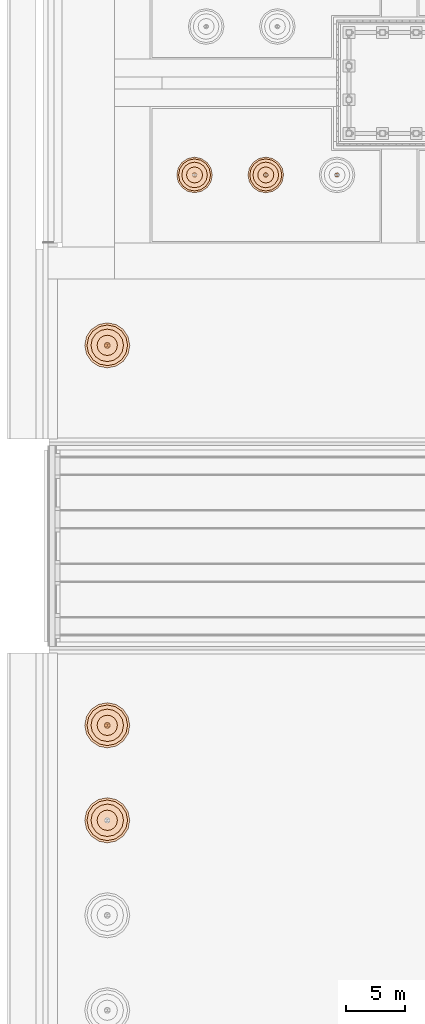
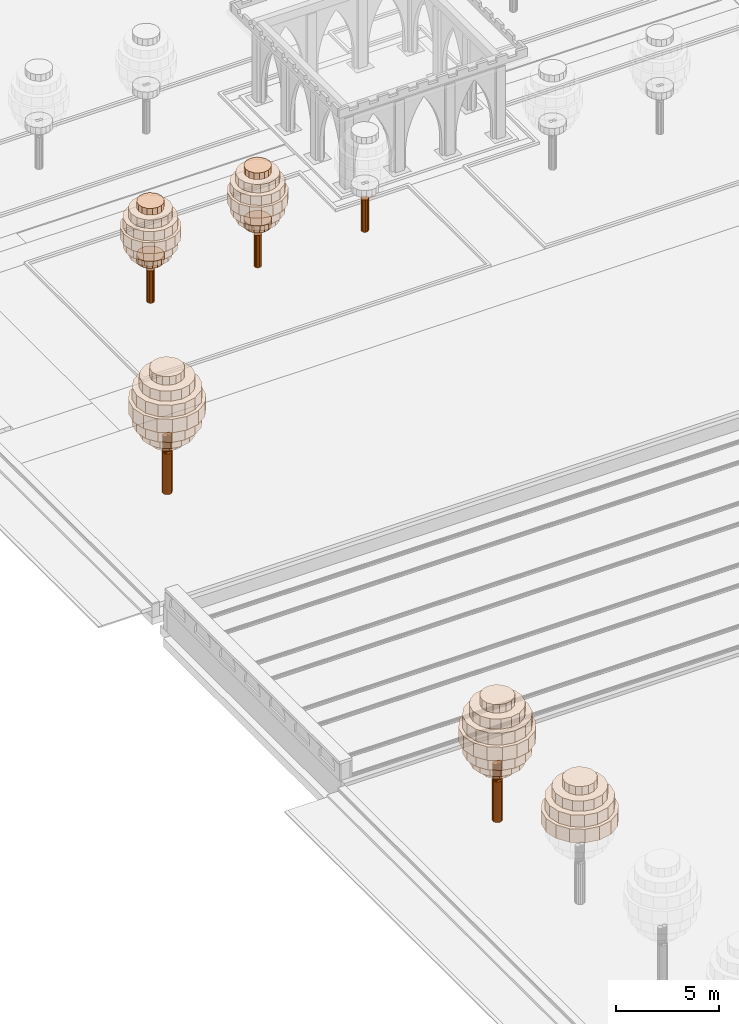
# One storey, part 240 of 250: 41 geographic elements.
"""IFC4 building model written with IfcOpenShell, lengths in metres."""

from ifc_helpers import new_model, si_unit, direction, frame, origin, place, context, subcontext, project, spatial, polyline, outline, extrude, material, type_object, element, save


model = new_model("IFC4")

# Units and contexts
model_context = context("Model", 3, precision=1e-05, world=origin(), true_north=direction((0.0, 1.0)))
body_context = subcontext(model_context, "Body", "Model", "MODEL_VIEW")
ifc_project = project(units=[si_unit("LENGTHUNIT", "METRE"), si_unit("AREAUNIT", "SQUARE_METRE"), si_unit("VOLUMEUNIT", "CUBIC_METRE"), si_unit("PLANEANGLEUNIT", "RADIAN"), si_unit("MASSUNIT", "GRAM", prefix="KILO")], contexts=[model_context])

# Site, building, storey
site_placement = place(None, origin())
site = spatial("IfcSite", under=ifc_project, at=site_placement, CompositionType="ELEMENT")
building_placement = place(site_placement, origin())
building = spatial("IfcBuilding", under=site, at=building_placement, Name="Baradari Gate Terminus", CompositionType="ELEMENT")
storey_placement = place(building_placement, origin())
storey = spatial("IfcBuildingStorey", under=building, at=storey_placement, Name="L00", CompositionType="ELEMENT", Elevation=0.0)

# Geographic elements
ifc_material_1 = material(Name="Planted foliage, green")
geographic_element_type_1 = type_object("IfcGeographicElementType", Name="Garden tree crown, belly layer TR-9 2700x550", PredefinedType="USERDEFINED", material=ifc_material_1)
for number, where, name in (
    (1, (0.0, 0.0, 3.300048828125), "Garden tree 13 crown 3"),
    (2, (0.0, 0.0, 4.5), "Garden tree 13 crown 5"),
):
    element("IfcGeographicElement", number, at=place(storey_placement, frame(where)), inside=storey, type_object=geographic_element_type_1, Name=name, ObjectType="TREE", PredefinedType="USERDEFINED", context=body_context, shape_type="SweptSolid", body=[
        extrude(outline(polyline([(17.10009765625, 89.75), (16.997314453125, 90.2666015625), (16.70458984375, 90.70458984375), (16.2666015625, 90.997314453125), (15.75, 91.10009765625), (15.2333984375, 90.997314453125), (14.79541015625, 90.70458984375), (14.502685546875, 90.2666015625), (14.39990234375, 89.75), (14.502685546875, 89.2333984375), (14.79541015625, 88.79541015625), (15.2333984375, 88.502685546875), (15.75, 88.39990234375), (16.2666015625, 88.502685546875), (16.70458984375, 88.79541015625), (16.997314453125, 89.2333984375), (17.10009765625, 89.75)])), origin(), (0.0, 0.0, 1.0), 0.550048828125),
    ])
for number, where, name in (
    (3, (0.0, 0.0, 3.300048828125), "Garden tree 14 crown 3"),
    (4, (0.0, 0.0, 4.5), "Garden tree 14 crown 5"),
):
    element("IfcGeographicElement", number, at=place(storey_placement, frame(where)), inside=storey, type_object=geographic_element_type_1, Name=name, ObjectType="TREE", PredefinedType="USERDEFINED", context=body_context, shape_type="SweptSolid", body=[
        extrude(outline(polyline([(23.10009765625, 89.75), (22.997314453125, 90.2666015625), (22.70458984375, 90.70458984375), (22.2666015625, 90.997314453125), (21.75, 91.10009765625), (21.2333984375, 90.997314453125), (20.79541015625, 90.70458984375), (20.502685546875, 90.2666015625), (20.39990234375, 89.75), (20.502685546875, 89.2333984375), (20.79541015625, 88.79541015625), (21.2333984375, 88.502685546875), (21.75, 88.39990234375), (22.2666015625, 88.502685546875), (22.70458984375, 88.79541015625), (22.997314453125, 89.2333984375), (23.10009765625, 89.75)])), origin(), (0.0, 0.0, 1.0), 0.550048828125),
    ])
ifc_material_2 = material(Name="Planted foliage, green")
geographic_element_type_2 = type_object("IfcGeographicElementType", Name="Garden tree crown, core layer TR-10 3000x650", PredefinedType="USERDEFINED", material=ifc_material_2)
geographic_element_1_placement = place(storey_placement, frame((0.0, 0.0, 3.85009765625)))
element("IfcGeographicElement", 5, at=geographic_element_1_placement, inside=storey, type_object=geographic_element_type_2, Name="Garden tree 13 crown 4", ObjectType="TREE", PredefinedType="USERDEFINED", context=body_context, shape_type="SweptSolid", body=[
    extrude(outline(polyline([(17.25, 89.75), (17.1357421875, 90.323974609375), (16.810546875, 90.810546875), (16.323974609375, 91.1357421875), (15.75, 91.25), (15.176025390625, 91.1357421875), (14.689453125, 90.810546875), (14.3642578125, 90.323974609375), (14.25, 89.75), (14.3642578125, 89.176025390625), (14.689453125, 88.689453125), (15.176025390625, 88.3642578125), (15.75, 88.25), (16.323974609375, 88.3642578125), (16.810546875, 88.689453125), (17.1357421875, 89.176025390625), (17.25, 89.75)])), origin(), (0.0, 0.0, 1.0), 0.64990234375),
])
geographic_element_2_placement = place(storey_placement, frame((0.0, 0.0, 3.85009765625)))
element("IfcGeographicElement", 6, at=geographic_element_2_placement, inside=storey, type_object=geographic_element_type_2, Name="Garden tree 14 crown 4", ObjectType="TREE", PredefinedType="USERDEFINED", context=body_context, shape_type="SweptSolid", body=[
    extrude(outline(polyline([(23.25, 89.75), (23.1357421875, 90.323974609375), (22.810546875, 90.810546875), (22.323974609375, 91.1357421875), (21.75, 91.25), (21.176025390625, 91.1357421875), (20.689453125, 90.810546875), (20.3642578125, 90.323974609375), (20.25, 89.75), (20.3642578125, 89.176025390625), (20.689453125, 88.689453125), (21.176025390625, 88.3642578125), (21.75, 88.25), (22.323974609375, 88.3642578125), (22.810546875, 88.689453125), (23.1357421875, 89.176025390625), (23.25, 89.75)])), origin(), (0.0, 0.0, 1.0), 0.64990234375),
])
ifc_material_3 = material(Name="Planted foliage, green")
geographic_element_type_3 = type_object("IfcGeographicElementType", Name="Garden tree crown, rim layer TR-7 1350x400", PredefinedType="USERDEFINED", material=ifc_material_3)
geographic_element_3_placement = place(storey_placement, frame((0.0, 0.0, 2.39990234375)))
element("IfcGeographicElement", 7, at=geographic_element_3_placement, inside=storey, type_object=geographic_element_type_3, Name="Garden tree 13 crown 1", ObjectType="TREE", PredefinedType="USERDEFINED", context=body_context, shape_type="SweptSolid", body=[
    extrude(outline(polyline([(16.425048828125, 89.75), (16.37353515625, 90.00830078125), (16.227294921875, 90.227294921875), (16.00830078125, 90.37353515625), (15.75, 90.425048828125), (15.49169921875, 90.37353515625), (15.272705078125, 90.227294921875), (15.12646484375, 90.00830078125), (15.074951171875, 89.75), (15.12646484375, 89.49169921875), (15.272705078125, 89.272705078125), (15.49169921875, 89.12646484375), (15.75, 89.074951171875), (16.00830078125, 89.12646484375), (16.227294921875, 89.272705078125), (16.37353515625, 89.49169921875), (16.425048828125, 89.75)])), origin(), (0.0, 0.0, 1.0), 0.400146484375),
])
geographic_element_4_placement = place(storey_placement, frame((0.0, 0.0, 5.550048828125)))
element("IfcGeographicElement", 8, at=geographic_element_4_placement, inside=storey, type_object=geographic_element_type_3, Name="Garden tree 13 crown 7", ObjectType="TREE", PredefinedType="USERDEFINED", context=body_context, shape_type="SweptSolid", body=[
    extrude(outline(polyline([(16.425048828125, 89.75), (16.37353515625, 90.00830078125), (16.227294921875, 90.227294921875), (16.00830078125, 90.37353515625), (15.75, 90.425048828125), (15.49169921875, 90.37353515625), (15.272705078125, 90.227294921875), (15.12646484375, 90.00830078125), (15.074951171875, 89.75), (15.12646484375, 89.49169921875), (15.272705078125, 89.272705078125), (15.49169921875, 89.12646484375), (15.75, 89.074951171875), (16.00830078125, 89.12646484375), (16.227294921875, 89.272705078125), (16.37353515625, 89.49169921875), (16.425048828125, 89.75)])), origin(), (0.0, 0.0, 1.0), 0.39990234375),
])
geographic_element_5_placement = place(storey_placement, frame((0.0, 0.0, 2.39990234375)))
element("IfcGeographicElement", 9, at=geographic_element_5_placement, inside=storey, type_object=geographic_element_type_3, Name="Garden tree 14 crown 1", ObjectType="TREE", PredefinedType="USERDEFINED", context=body_context, shape_type="SweptSolid", body=[
    extrude(outline(polyline([(22.425048828125, 89.75), (22.37353515625, 90.00830078125), (22.227294921875, 90.227294921875), (22.00830078125, 90.37353515625), (21.75, 90.425048828125), (21.49169921875, 90.37353515625), (21.272705078125, 90.227294921875), (21.12646484375, 90.00830078125), (21.074951171875, 89.75), (21.12646484375, 89.49169921875), (21.272705078125, 89.272705078125), (21.49169921875, 89.12646484375), (21.75, 89.074951171875), (22.00830078125, 89.12646484375), (22.227294921875, 89.272705078125), (22.37353515625, 89.49169921875), (22.425048828125, 89.75)])), origin(), (0.0, 0.0, 1.0), 0.400146484375),
])
geographic_element_6_placement = place(storey_placement, frame((0.0, 0.0, 5.550048828125)))
element("IfcGeographicElement", 10, at=geographic_element_6_placement, inside=storey, type_object=geographic_element_type_3, Name="Garden tree 14 crown 7", ObjectType="TREE", PredefinedType="USERDEFINED", context=body_context, shape_type="SweptSolid", body=[
    extrude(outline(polyline([(22.425048828125, 89.75), (22.37353515625, 90.00830078125), (22.227294921875, 90.227294921875), (22.00830078125, 90.37353515625), (21.75, 90.425048828125), (21.49169921875, 90.37353515625), (21.272705078125, 90.227294921875), (21.12646484375, 90.00830078125), (21.074951171875, 89.75), (21.12646484375, 89.49169921875), (21.272705078125, 89.272705078125), (21.49169921875, 89.12646484375), (21.75, 89.074951171875), (22.00830078125, 89.12646484375), (22.227294921875, 89.272705078125), (22.37353515625, 89.49169921875), (22.425048828125, 89.75)])), origin(), (0.0, 0.0, 1.0), 0.39990234375),
])
ifc_material_4 = material(Name="Planted foliage, green")
geographic_element_type_4 = type_object("IfcGeographicElementType", Name="Garden tree crown, shoulder layer TR-8 2160x500", PredefinedType="USERDEFINED", material=ifc_material_4)
for number, where, name in (
    (11, (0.0, 0.0, 2.800048828125), "Garden tree 13 crown 2"),
    (12, (0.0, 0.0, 5.050048828125), "Garden tree 13 crown 6"),
):
    element("IfcGeographicElement", number, at=place(storey_placement, frame(where)), inside=storey, type_object=geographic_element_type_4, Name=name, ObjectType="TREE", PredefinedType="USERDEFINED", context=body_context, shape_type="SweptSolid", body=[
        extrude(outline(polyline([(16.830078125, 89.75), (16.747802734375, 90.163330078125), (16.513671875, 90.513671875), (16.163330078125, 90.747802734375), (15.75, 90.830078125), (15.336669921875, 90.747802734375), (14.986328125, 90.513671875), (14.752197265625, 90.163330078125), (14.669921875, 89.75), (14.752197265625, 89.336669921875), (14.986328125, 88.986328125), (15.336669921875, 88.752197265625), (15.75, 88.669921875), (16.163330078125, 88.752197265625), (16.513671875, 88.986328125), (16.747802734375, 89.336669921875), (16.830078125, 89.75)])), origin(), (0.0, 0.0, 1.0), 0.5),
    ])
for number, where, name in (
    (13, (0.0, 0.0, 2.800048828125), "Garden tree 14 crown 2"),
    (14, (0.0, 0.0, 5.050048828125), "Garden tree 14 crown 6"),
):
    element("IfcGeographicElement", number, at=place(storey_placement, frame(where)), inside=storey, type_object=geographic_element_type_4, Name=name, ObjectType="TREE", PredefinedType="USERDEFINED", context=body_context, shape_type="SweptSolid", body=[
        extrude(outline(polyline([(22.830078125, 89.75), (22.747802734375, 90.163330078125), (22.513671875, 90.513671875), (22.163330078125, 90.747802734375), (21.75, 90.830078125), (21.336669921875, 90.747802734375), (20.986328125, 90.513671875), (20.752197265625, 90.163330078125), (20.669921875, 89.75), (20.752197265625, 89.336669921875), (20.986328125, 88.986328125), (21.336669921875, 88.752197265625), (21.75, 88.669921875), (22.163330078125, 88.752197265625), (22.513671875, 88.986328125), (22.747802734375, 89.336669921875), (22.830078125, 89.75)])), origin(), (0.0, 0.0, 1.0), 0.5),
    ])
ifc_material_5 = material(Name="Timber, hardwood", Category="wood")
geographic_element_type_5 = type_object("IfcGeographicElementType", Name="Garden tree trunk TR-6 380x1900", PredefinedType="USERDEFINED", material=ifc_material_5)
geographic_element_7_placement = place(storey_placement, origin())
element("IfcGeographicElement", 15, at=geographic_element_7_placement, inside=storey, type_object=geographic_element_type_5, Name="Garden tree 13 trunk", ObjectType="TREE", PredefinedType="USERDEFINED", context=body_context, shape_type="SweptSolid", body=[
    extrude(outline(polyline([(15.93994140625, 89.75), (15.925537109375, 89.82275390625), (15.88427734375, 89.88427734375), (15.82275390625, 89.925537109375), (15.75, 89.93994140625), (15.67724609375, 89.925537109375), (15.61572265625, 89.88427734375), (15.574462890625, 89.82275390625), (15.56005859375, 89.75), (15.574462890625, 89.67724609375), (15.61572265625, 89.61572265625), (15.67724609375, 89.574462890625), (15.75, 89.56005859375), (15.82275390625, 89.574462890625), (15.88427734375, 89.61572265625), (15.925537109375, 89.67724609375), (15.93994140625, 89.75)])), origin(), (0.0, 0.0, 1.0), 1.89990234375),
])
geographic_element_8_placement = place(storey_placement, origin())
element("IfcGeographicElement", 16, at=geographic_element_8_placement, inside=storey, type_object=geographic_element_type_5, Name="Garden tree 14 trunk", ObjectType="TREE", PredefinedType="USERDEFINED", context=body_context, shape_type="SweptSolid", body=[
    extrude(outline(polyline([(21.93994140625, 89.75), (21.925537109375, 89.82275390625), (21.88427734375, 89.88427734375), (21.82275390625, 89.925537109375), (21.75, 89.93994140625), (21.67724609375, 89.925537109375), (21.61572265625, 89.88427734375), (21.574462890625, 89.82275390625), (21.56005859375, 89.75), (21.574462890625, 89.67724609375), (21.61572265625, 89.61572265625), (21.67724609375, 89.574462890625), (21.75, 89.56005859375), (21.82275390625, 89.574462890625), (21.88427734375, 89.61572265625), (21.925537109375, 89.67724609375), (21.93994140625, 89.75)])), origin(), (0.0, 0.0, 1.0), 1.89990234375),
])
geographic_element_9_placement = place(storey_placement, origin())
element("IfcGeographicElement", 17, at=geographic_element_9_placement, inside=storey, type_object=geographic_element_type_5, Name="Garden tree 15 trunk", ObjectType="TREE", PredefinedType="USERDEFINED", context=body_context, shape_type="SweptSolid", body=[
    extrude(outline(polyline([(27.93994140625, 89.75), (27.925537109375, 89.82275390625), (27.88427734375, 89.88427734375), (27.82275390625, 89.925537109375), (27.75, 89.93994140625), (27.67724609375, 89.925537109375), (27.61572265625, 89.88427734375), (27.574462890625, 89.82275390625), (27.56005859375, 89.75), (27.574462890625, 89.67724609375), (27.61572265625, 89.61572265625), (27.67724609375, 89.574462890625), (27.75, 89.56005859375), (27.82275390625, 89.574462890625), (27.88427734375, 89.61572265625), (27.925537109375, 89.67724609375), (27.93994140625, 89.75)])), origin(), (0.0, 0.0, 1.0), 1.89990234375),
])
ifc_material_6 = material(Name="Planted foliage, green")
geographic_element_type_6 = type_object("IfcGeographicElementType", Name="Street tree crown, belly layer TR-4 3420x700", PredefinedType="USERDEFINED", material=ifc_material_6)
geographic_element_10_placement = place(storey_placement, frame((0.0, 0.0, 5.60009765625)))
element("IfcGeographicElement", 18, at=geographic_element_10_placement, inside=storey, type_object=geographic_element_type_6, Name="Street tree 18 crown 5", ObjectType="TREE", PredefinedType="USERDEFINED", context=body_context, shape_type="SweptSolid", body=[
    extrude(outline(polyline([(10.110107421875, 35.39990234375), (9.979736328125, 36.054443359375), (9.609130859375, 36.609130859375), (9.054443359375, 36.979736328125), (8.39990234375, 37.110107421875), (7.74560546875, 36.979736328125), (7.19091796875, 36.609130859375), (6.820068359375, 36.054443359375), (6.68994140625, 35.39990234375), (6.820068359375, 34.74560546875), (7.19091796875, 34.19091796875), (7.74560546875, 33.820068359375), (8.39990234375, 33.68994140625), (9.054443359375, 33.820068359375), (9.609130859375, 34.19091796875), (9.979736328125, 34.74560546875), (10.110107421875, 35.39990234375)])), origin(), (0.0, 0.0, 1.0), 0.699951171875),
])
for number, where, name in (
    (19, (0.0, 0.0, 4.10009765625), "Street tree 19 crown 3"),
    (20, (0.0, 0.0, 5.60009765625), "Street tree 19 crown 5"),
):
    element("IfcGeographicElement", number, at=place(storey_placement, frame(where)), inside=storey, type_object=geographic_element_type_6, Name=name, ObjectType="TREE", PredefinedType="USERDEFINED", context=body_context, shape_type="SweptSolid", body=[
        extrude(outline(polyline([(10.110107421875, 43.39990234375), (9.979736328125, 44.054443359375), (9.609130859375, 44.609130859375), (9.054443359375, 44.979736328125), (8.39990234375, 45.110107421875), (7.74560546875, 44.979736328125), (7.19091796875, 44.609130859375), (6.820068359375, 44.054443359375), (6.68994140625, 43.39990234375), (6.820068359375, 42.74560546875), (7.19091796875, 42.19091796875), (7.74560546875, 41.820068359375), (8.39990234375, 41.68994140625), (9.054443359375, 41.820068359375), (9.609130859375, 42.19091796875), (9.979736328125, 42.74560546875), (10.110107421875, 43.39990234375)])), origin(), (0.0, 0.0, 1.0), 0.699951171875),
    ])
for number, where, name in (
    (21, (0.0, 0.0, 4.10009765625), "Street tree 20 crown 3"),
    (22, (0.0, 0.0, 5.60009765625), "Street tree 20 crown 5"),
):
    element("IfcGeographicElement", number, at=place(storey_placement, frame(where)), inside=storey, type_object=geographic_element_type_6, Name=name, ObjectType="TREE", PredefinedType="USERDEFINED", context=body_context, shape_type="SweptSolid", body=[
        extrude(outline(polyline([(10.110107421875, 75.39990234375), (9.979736328125, 76.054443359375), (9.609130859375, 76.609130859375), (9.054443359375, 76.979736328125), (8.39990234375, 77.110107421875), (7.74560546875, 76.979736328125), (7.19091796875, 76.609130859375), (6.820068359375, 76.054443359375), (6.68994140625, 75.39990234375), (6.820068359375, 74.74560546875), (7.19091796875, 74.19091796875), (7.74560546875, 73.820068359375), (8.39990234375, 73.68994140625), (9.054443359375, 73.820068359375), (9.609130859375, 74.19091796875), (9.979736328125, 74.74560546875), (10.110107421875, 75.39990234375)])), origin(), (0.0, 0.0, 1.0), 0.699951171875),
    ])
ifc_material_7 = material(Name="Planted foliage, green")
geographic_element_type_7 = type_object("IfcGeographicElementType", Name="Street tree crown, core layer TR-5 3800x800", PredefinedType="USERDEFINED", material=ifc_material_7)
geographic_element_11_placement = place(storey_placement, frame((0.0, 0.0, 4.800048828125)))
element("IfcGeographicElement", 23, at=geographic_element_11_placement, inside=storey, type_object=geographic_element_type_7, Name="Street tree 18 crown 4", ObjectType="TREE", PredefinedType="USERDEFINED", context=body_context, shape_type="SweptSolid", body=[
    extrude(outline(polyline([(10.300048828125, 35.39990234375), (10.1552734375, 36.127197265625), (9.743408203125, 36.743408203125), (9.127197265625, 37.1552734375), (8.39990234375, 37.300048828125), (7.6728515625, 37.1552734375), (7.056396484375, 36.743408203125), (6.64453125, 36.127197265625), (6.5, 35.39990234375), (6.64453125, 34.6728515625), (7.056396484375, 34.056396484375), (7.6728515625, 33.64453125), (8.39990234375, 33.5), (9.127197265625, 33.64453125), (9.743408203125, 34.056396484375), (10.1552734375, 34.6728515625), (10.300048828125, 35.39990234375)])), origin(), (0.0, 0.0, 1.0), 0.800048828125),
])
geographic_element_12_placement = place(storey_placement, frame((0.0, 0.0, 4.800048828125)))
element("IfcGeographicElement", 24, at=geographic_element_12_placement, inside=storey, type_object=geographic_element_type_7, Name="Street tree 19 crown 4", ObjectType="TREE", PredefinedType="USERDEFINED", context=body_context, shape_type="SweptSolid", body=[
    extrude(outline(polyline([(10.300048828125, 43.39990234375), (10.1552734375, 44.127197265625), (9.743408203125, 44.743408203125), (9.127197265625, 45.1552734375), (8.39990234375, 45.300048828125), (7.6728515625, 45.1552734375), (7.056396484375, 44.743408203125), (6.64453125, 44.127197265625), (6.5, 43.39990234375), (6.64453125, 42.6728515625), (7.056396484375, 42.056396484375), (7.6728515625, 41.64453125), (8.39990234375, 41.5), (9.127197265625, 41.64453125), (9.743408203125, 42.056396484375), (10.1552734375, 42.6728515625), (10.300048828125, 43.39990234375)])), origin(), (0.0, 0.0, 1.0), 0.800048828125),
])
geographic_element_13_placement = place(storey_placement, frame((0.0, 0.0, 4.800048828125)))
element("IfcGeographicElement", 25, at=geographic_element_13_placement, inside=storey, type_object=geographic_element_type_7, Name="Street tree 20 crown 4", ObjectType="TREE", PredefinedType="USERDEFINED", context=body_context, shape_type="SweptSolid", body=[
    extrude(outline(polyline([(10.300048828125, 75.39990234375), (10.1552734375, 76.127197265625), (9.743408203125, 76.743408203125), (9.127197265625, 77.1552734375), (8.39990234375, 77.300048828125), (7.6728515625, 77.1552734375), (7.056396484375, 76.743408203125), (6.64453125, 76.127197265625), (6.5, 75.39990234375), (6.64453125, 74.6728515625), (7.056396484375, 74.056396484375), (7.6728515625, 73.64453125), (8.39990234375, 73.5), (9.127197265625, 73.64453125), (9.743408203125, 74.056396484375), (10.1552734375, 74.6728515625), (10.300048828125, 75.39990234375)])), origin(), (0.0, 0.0, 1.0), 0.800048828125),
])
ifc_material_8 = material(Name="Planted foliage, green")
geographic_element_type_8 = type_object("IfcGeographicElementType", Name="Street tree crown, rim layer TR-2 1710x500", PredefinedType="USERDEFINED", material=ifc_material_8)
geographic_element_14_placement = place(storey_placement, frame((0.0, 0.0, 6.89990234375)))
element("IfcGeographicElement", 26, at=geographic_element_14_placement, inside=storey, type_object=geographic_element_type_8, Name="Street tree 18 crown 7", ObjectType="TREE", PredefinedType="USERDEFINED", context=body_context, shape_type="SweptSolid", body=[
    extrude(outline(polyline([(9.2548828125, 35.39990234375), (9.18994140625, 35.727294921875), (9.004638671875, 36.004638671875), (8.727294921875, 36.18994140625), (8.39990234375, 36.2548828125), (8.07275390625, 36.18994140625), (7.79541015625, 36.004638671875), (7.610107421875, 35.727294921875), (7.544921875, 35.39990234375), (7.610107421875, 35.07275390625), (7.79541015625, 34.79541015625), (8.07275390625, 34.610107421875), (8.39990234375, 34.544921875), (8.727294921875, 34.610107421875), (9.004638671875, 34.79541015625), (9.18994140625, 35.07275390625), (9.2548828125, 35.39990234375)])), origin(), (0.0, 0.0, 1.0), 0.5),
])
for number, where, name in (
    (27, (0.0, 0.0, 3.0), "Street tree 19 crown 1"),
    (28, (0.0, 0.0, 6.89990234375), "Street tree 19 crown 7"),
):
    element("IfcGeographicElement", number, at=place(storey_placement, frame(where)), inside=storey, type_object=geographic_element_type_8, Name=name, ObjectType="TREE", PredefinedType="USERDEFINED", context=body_context, shape_type="SweptSolid", body=[
        extrude(outline(polyline([(9.2548828125, 43.39990234375), (9.18994140625, 43.727294921875), (9.004638671875, 44.004638671875), (8.727294921875, 44.18994140625), (8.39990234375, 44.2548828125), (8.07275390625, 44.18994140625), (7.79541015625, 44.004638671875), (7.610107421875, 43.727294921875), (7.544921875, 43.39990234375), (7.610107421875, 43.07275390625), (7.79541015625, 42.79541015625), (8.07275390625, 42.610107421875), (8.39990234375, 42.544921875), (8.727294921875, 42.610107421875), (9.004638671875, 42.79541015625), (9.18994140625, 43.07275390625), (9.2548828125, 43.39990234375)])), origin(), (0.0, 0.0, 1.0), 0.5),
    ])
for number, where, name in (
    (29, (0.0, 0.0, 3.0), "Street tree 20 crown 1"),
    (30, (0.0, 0.0, 6.89990234375), "Street tree 20 crown 7"),
):
    element("IfcGeographicElement", number, at=place(storey_placement, frame(where)), inside=storey, type_object=geographic_element_type_8, Name=name, ObjectType="TREE", PredefinedType="USERDEFINED", context=body_context, shape_type="SweptSolid", body=[
        extrude(outline(polyline([(9.2548828125, 75.39990234375), (9.18994140625, 75.727294921875), (9.004638671875, 76.004638671875), (8.727294921875, 76.18994140625), (8.39990234375, 76.2548828125), (8.07275390625, 76.18994140625), (7.79541015625, 76.004638671875), (7.610107421875, 75.727294921875), (7.544921875, 75.39990234375), (7.610107421875, 75.07275390625), (7.79541015625, 74.79541015625), (8.07275390625, 74.610107421875), (8.39990234375, 74.544921875), (8.727294921875, 74.610107421875), (9.004638671875, 74.79541015625), (9.18994140625, 75.07275390625), (9.2548828125, 75.39990234375)])), origin(), (0.0, 0.0, 1.0), 0.5),
    ])
ifc_material_9 = material(Name="Planted foliage, green")
geographic_element_type_9 = type_object("IfcGeographicElementType", Name="Street tree crown, shoulder layer TR-3 2736x600", PredefinedType="USERDEFINED", material=ifc_material_9)
geographic_element_15_placement = place(storey_placement, frame((0.0, 0.0, 6.300048828125)))
element("IfcGeographicElement", 31, at=geographic_element_15_placement, inside=storey, type_object=geographic_element_type_9, Name="Street tree 18 crown 6", ObjectType="TREE", PredefinedType="USERDEFINED", context=body_context, shape_type="SweptSolid", body=[
    extrude(outline(polyline([(9.76806640625, 35.39990234375), (9.663818359375, 35.923583984375), (9.367431640625, 36.367431640625), (8.923583984375, 36.663818359375), (8.39990234375, 36.76806640625), (7.87646484375, 36.663818359375), (7.4326171875, 36.367431640625), (7.13623046875, 35.923583984375), (7.031982421875, 35.39990234375), (7.13623046875, 34.87646484375), (7.4326171875, 34.4326171875), (7.87646484375, 34.13623046875), (8.39990234375, 34.031982421875), (8.923583984375, 34.13623046875), (9.367431640625, 34.4326171875), (9.663818359375, 34.87646484375), (9.76806640625, 35.39990234375)])), origin(), (0.0, 0.0, 1.0), 0.599853515625),
])
geographic_element_16_placement = place(storey_placement, frame((0.0, 0.0, 3.5)))
element("IfcGeographicElement", 32, at=geographic_element_16_placement, inside=storey, type_object=geographic_element_type_9, Name="Street tree 19 crown 2", ObjectType="TREE", PredefinedType="USERDEFINED", context=body_context, shape_type="SweptSolid", body=[
    extrude(outline(polyline([(9.76806640625, 43.39990234375), (9.663818359375, 43.923583984375), (9.367431640625, 44.367431640625), (8.923583984375, 44.663818359375), (8.39990234375, 44.76806640625), (7.87646484375, 44.663818359375), (7.4326171875, 44.367431640625), (7.13623046875, 43.923583984375), (7.031982421875, 43.39990234375), (7.13623046875, 42.87646484375), (7.4326171875, 42.4326171875), (7.87646484375, 42.13623046875), (8.39990234375, 42.031982421875), (8.923583984375, 42.13623046875), (9.367431640625, 42.4326171875), (9.663818359375, 42.87646484375), (9.76806640625, 43.39990234375)])), origin(), (0.0, 0.0, 1.0), 0.60009765625),
])
geographic_element_17_placement = place(storey_placement, frame((0.0, 0.0, 6.300048828125)))
element("IfcGeographicElement", 33, at=geographic_element_17_placement, inside=storey, type_object=geographic_element_type_9, Name="Street tree 19 crown 6", ObjectType="TREE", PredefinedType="USERDEFINED", context=body_context, shape_type="SweptSolid", body=[
    extrude(outline(polyline([(9.76806640625, 43.39990234375), (9.663818359375, 43.923583984375), (9.367431640625, 44.367431640625), (8.923583984375, 44.663818359375), (8.39990234375, 44.76806640625), (7.87646484375, 44.663818359375), (7.4326171875, 44.367431640625), (7.13623046875, 43.923583984375), (7.031982421875, 43.39990234375), (7.13623046875, 42.87646484375), (7.4326171875, 42.4326171875), (7.87646484375, 42.13623046875), (8.39990234375, 42.031982421875), (8.923583984375, 42.13623046875), (9.367431640625, 42.4326171875), (9.663818359375, 42.87646484375), (9.76806640625, 43.39990234375)])), origin(), (0.0, 0.0, 1.0), 0.599853515625),
])
geographic_element_18_placement = place(storey_placement, frame((0.0, 0.0, 3.5)))
element("IfcGeographicElement", 34, at=geographic_element_18_placement, inside=storey, type_object=geographic_element_type_9, Name="Street tree 20 crown 2", ObjectType="TREE", PredefinedType="USERDEFINED", context=body_context, shape_type="SweptSolid", body=[
    extrude(outline(polyline([(9.76806640625, 75.39990234375), (9.663818359375, 75.923583984375), (9.367431640625, 76.367431640625), (8.923583984375, 76.663818359375), (8.39990234375, 76.76806640625), (7.87646484375, 76.663818359375), (7.4326171875, 76.367431640625), (7.13623046875, 75.923583984375), (7.031982421875, 75.39990234375), (7.13623046875, 74.87646484375), (7.4326171875, 74.4326171875), (7.87646484375, 74.13623046875), (8.39990234375, 74.031982421875), (8.923583984375, 74.13623046875), (9.367431640625, 74.4326171875), (9.663818359375, 74.87646484375), (9.76806640625, 75.39990234375)])), origin(), (0.0, 0.0, 1.0), 0.60009765625),
])
geographic_element_19_placement = place(storey_placement, frame((0.0, 0.0, 6.300048828125)))
element("IfcGeographicElement", 35, at=geographic_element_19_placement, inside=storey, type_object=geographic_element_type_9, Name="Street tree 20 crown 6", ObjectType="TREE", PredefinedType="USERDEFINED", context=body_context, shape_type="SweptSolid", body=[
    extrude(outline(polyline([(9.76806640625, 75.39990234375), (9.663818359375, 75.923583984375), (9.367431640625, 76.367431640625), (8.923583984375, 76.663818359375), (8.39990234375, 76.76806640625), (7.87646484375, 76.663818359375), (7.4326171875, 76.367431640625), (7.13623046875, 75.923583984375), (7.031982421875, 75.39990234375), (7.13623046875, 74.87646484375), (7.4326171875, 74.4326171875), (7.87646484375, 74.13623046875), (8.39990234375, 74.031982421875), (8.923583984375, 74.13623046875), (9.367431640625, 74.4326171875), (9.663818359375, 74.87646484375), (9.76806640625, 75.39990234375)])), origin(), (0.0, 0.0, 1.0), 0.599853515625),
])
ifc_material_10 = material(Name="Timber, hardwood", Category="wood")
geographic_element_type_10 = type_object("IfcGeographicElementType", Name="Street tree limb TR-11 260x1000", PredefinedType="USERDEFINED", material=ifc_material_10)
geographic_element_20_placement = place(storey_placement, frame((0.0, 0.0, 2.39990234375)))
element("IfcGeographicElement", 36, at=geographic_element_20_placement, inside=storey, type_object=geographic_element_type_10, Name="Street tree 19 limb 1", ObjectType="TREE", PredefinedType="USERDEFINED", context=body_context, shape_type="SweptSolid", body=[
    extrude(outline(polyline([(8.409912109375, 43.39990234375), (8.400146484375, 43.44970703125), (8.371826171875, 43.491943359375), (8.329833984375, 43.52001953125), (8.280029296875, 43.530029296875), (8.230224609375, 43.52001953125), (8.18798828125, 43.491943359375), (8.159912109375, 43.44970703125), (8.14990234375, 43.39990234375), (8.159912109375, 43.350341796875), (8.18798828125, 43.30810546875), (8.230224609375, 43.27978515625), (8.280029296875, 43.27001953125), (8.329833984375, 43.27978515625), (8.371826171875, 43.30810546875), (8.400146484375, 43.350341796875), (8.409912109375, 43.39990234375)])), origin(), (0.0, 0.0, 1.0), 1.0),
])
geographic_element_21_placement = place(storey_placement, frame((0.0, 0.0, 2.39990234375)))
element("IfcGeographicElement", 37, at=geographic_element_21_placement, inside=storey, type_object=geographic_element_type_10, Name="Street tree 19 limb 2", ObjectType="TREE", PredefinedType="USERDEFINED", context=body_context, shape_type="SweptSolid", body=[
    extrude(outline(polyline([(8.64990234375, 43.39990234375), (8.64013671875, 43.44970703125), (8.61181640625, 43.491943359375), (8.56982421875, 43.52001953125), (8.52001953125, 43.530029296875), (8.47021484375, 43.52001953125), (8.427978515625, 43.491943359375), (8.39990234375, 43.44970703125), (8.389892578125, 43.39990234375), (8.39990234375, 43.350341796875), (8.427978515625, 43.30810546875), (8.47021484375, 43.27978515625), (8.52001953125, 43.27001953125), (8.56982421875, 43.27978515625), (8.61181640625, 43.30810546875), (8.64013671875, 43.350341796875), (8.64990234375, 43.39990234375)])), origin(), (0.0, 0.0, 1.0), 1.0),
])
geographic_element_22_placement = place(storey_placement, frame((0.0, 0.0, 2.39990234375)))
element("IfcGeographicElement", 38, at=geographic_element_22_placement, inside=storey, type_object=geographic_element_type_10, Name="Street tree 20 limb 1", ObjectType="TREE", PredefinedType="USERDEFINED", context=body_context, shape_type="SweptSolid", body=[
    extrude(outline(polyline([(8.409912109375, 75.39990234375), (8.400146484375, 75.44970703125), (8.371826171875, 75.491943359375), (8.329833984375, 75.52001953125), (8.280029296875, 75.530029296875), (8.230224609375, 75.52001953125), (8.18798828125, 75.491943359375), (8.159912109375, 75.44970703125), (8.14990234375, 75.39990234375), (8.159912109375, 75.350341796875), (8.18798828125, 75.30810546875), (8.230224609375, 75.27978515625), (8.280029296875, 75.27001953125), (8.329833984375, 75.27978515625), (8.371826171875, 75.30810546875), (8.400146484375, 75.350341796875), (8.409912109375, 75.39990234375)])), origin(), (0.0, 0.0, 1.0), 1.0),
])
geographic_element_23_placement = place(storey_placement, frame((0.0, 0.0, 2.39990234375)))
element("IfcGeographicElement", 39, at=geographic_element_23_placement, inside=storey, type_object=geographic_element_type_10, Name="Street tree 20 limb 2", ObjectType="TREE", PredefinedType="USERDEFINED", context=body_context, shape_type="SweptSolid", body=[
    extrude(outline(polyline([(8.64990234375, 75.39990234375), (8.64013671875, 75.44970703125), (8.61181640625, 75.491943359375), (8.56982421875, 75.52001953125), (8.52001953125, 75.530029296875), (8.47021484375, 75.52001953125), (8.427978515625, 75.491943359375), (8.39990234375, 75.44970703125), (8.389892578125, 75.39990234375), (8.39990234375, 75.350341796875), (8.427978515625, 75.30810546875), (8.47021484375, 75.27978515625), (8.52001953125, 75.27001953125), (8.56982421875, 75.27978515625), (8.61181640625, 75.30810546875), (8.64013671875, 75.350341796875), (8.64990234375, 75.39990234375)])), origin(), (0.0, 0.0, 1.0), 1.0),
])
ifc_material_11 = material(Name="Timber, hardwood", Category="wood")
geographic_element_type_11 = type_object("IfcGeographicElementType", Name="Street tree trunk TR-1 500x2400", PredefinedType="USERDEFINED", material=ifc_material_11)
geographic_element_24_placement = place(storey_placement, origin())
element("IfcGeographicElement", 40, at=geographic_element_24_placement, inside=storey, type_object=geographic_element_type_11, Name="Street tree 19 trunk", ObjectType="TREE", PredefinedType="USERDEFINED", context=body_context, shape_type="SweptSolid", body=[
    extrude(outline(polyline([(8.64990234375, 43.39990234375), (8.630859375, 43.49560546875), (8.57666015625, 43.57666015625), (8.49560546875, 43.630859375), (8.39990234375, 43.64990234375), (8.304443359375, 43.630859375), (8.22314453125, 43.57666015625), (8.1689453125, 43.49560546875), (8.14990234375, 43.39990234375), (8.1689453125, 43.304443359375), (8.22314453125, 43.22314453125), (8.304443359375, 43.1689453125), (8.39990234375, 43.14990234375), (8.49560546875, 43.1689453125), (8.57666015625, 43.22314453125), (8.630859375, 43.304443359375), (8.64990234375, 43.39990234375)])), origin(), (0.0, 0.0, 1.0), 2.39990234375),
])
geographic_element_25_placement = place(storey_placement, origin())
element("IfcGeographicElement", 41, at=geographic_element_25_placement, inside=storey, type_object=geographic_element_type_11, Name="Street tree 20 trunk", ObjectType="TREE", PredefinedType="USERDEFINED", context=body_context, shape_type="SweptSolid", body=[
    extrude(outline(polyline([(8.64990234375, 75.39990234375), (8.630859375, 75.49560546875), (8.57666015625, 75.57666015625), (8.49560546875, 75.630859375), (8.39990234375, 75.64990234375), (8.304443359375, 75.630859375), (8.22314453125, 75.57666015625), (8.1689453125, 75.49560546875), (8.14990234375, 75.39990234375), (8.1689453125, 75.304443359375), (8.22314453125, 75.22314453125), (8.304443359375, 75.1689453125), (8.39990234375, 75.14990234375), (8.49560546875, 75.1689453125), (8.57666015625, 75.22314453125), (8.630859375, 75.304443359375), (8.64990234375, 75.39990234375)])), origin(), (0.0, 0.0, 1.0), 2.39990234375),
])

save(model, "model.ifc")
